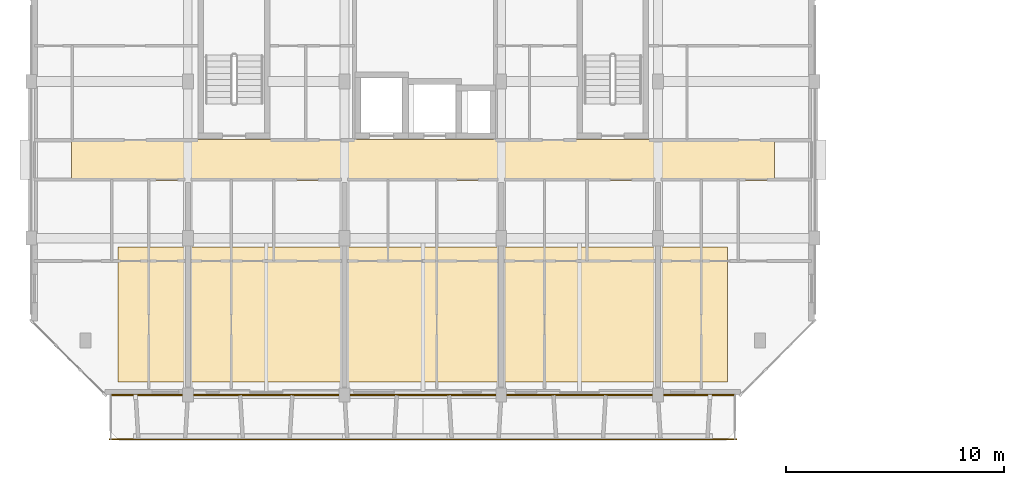
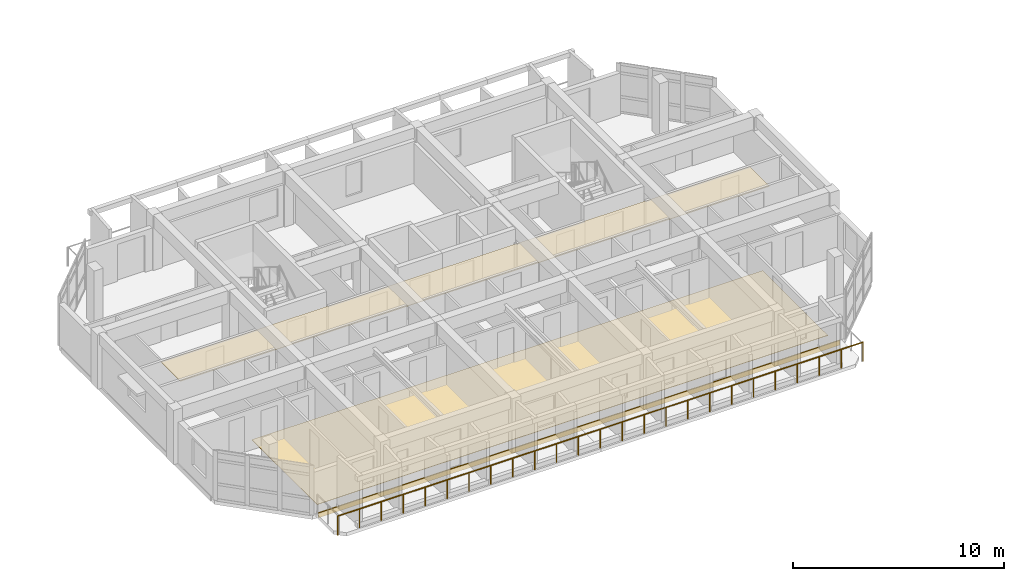
# One storey, part 34 of 43: 3 coverings, 1 railing.
"""IFC4 building model written with IfcOpenShell, lengths in metres."""

from ifc_helpers import new_model, si_unit, direction, frame, origin, origin_2d, place, context, subcontext, project, spatial, polyline, rectangle, circle, outline, extrude, material, layer, layer_set, type_object, element, save


model = new_model("IFC4")

# Units and contexts
model_context = context("Model", 3, precision=1e-05, world=origin(), true_north=direction((0.0, 1.0)))
body_context = subcontext(model_context, "Body", "Model", "MODEL_VIEW")
ifc_project = project(units=[si_unit("LENGTHUNIT", "METRE"), si_unit("AREAUNIT", "SQUARE_METRE"), si_unit("VOLUMEUNIT", "CUBIC_METRE"), si_unit("PLANEANGLEUNIT", "RADIAN"), si_unit("MASSUNIT", "GRAM", prefix="KILO")], contexts=[model_context])

# Site, building, storey
site_placement = place(None, origin())
site = spatial("IfcSite", under=ifc_project, at=site_placement, CompositionType="ELEMENT")
building_placement = place(site_placement, origin())
building = spatial("IfcBuilding", under=site, at=building_placement, Name="Ochrevale Crest", CompositionType="ELEMENT")
storey_placement = place(building_placement, frame((0.0, 0.0, 15.0)))
storey = spatial("IfcBuildingStorey", under=building, at=storey_placement, Name="L04", CompositionType="ELEMENT", Elevation=15.0)

# Coverings
ifc_material_1 = material(Name="Gypsum plasterboard", Category="gypsum")
ifc_layer_1 = layer(ifc_material_1, 0.02490234375)
ifc_layer_set_1 = layer_set([ifc_layer_1], Name="Gypsum plasterboard")
covering_type_1 = type_object("IfcCoveringType", Name="COV-CEIL-GYP", PredefinedType="CEILING", material=ifc_layer_set_1)
covering_1_placement = place(storey_placement, frame((0.0, 0.0, 2.280029296875)))
element("IfcCovering", 1, at=covering_1_placement, inside=storey, type_object=covering_type_1, Name="Block A L04 acoustic corridor ceiling", PredefinedType="CEILING", context=body_context, shape_type="SweptSolid", body=[
    extrude(outline(polyline([(1.85009765625, 24.260009765625), (34.14990234375, 24.260009765625), (34.14990234375, 26.139892578125), (1.85009765625, 26.139892578125), (1.85009765625, 24.260009765625)])), origin(), (0.0, 0.0, 1.0), 0.02490234375),
])
ifc_material_2 = material(Name="Glazed terracotta rainscreen tile", Category="masonry")
ifc_layer_2 = layer(ifc_material_2, 0.048095703125)
ifc_layer_set_2 = layer_set([ifc_layer_2], Name="Glazed terracotta rainscreen tile")
covering_type_2 = type_object("IfcCoveringType", Name="COV-CLAD-TER", PredefinedType="CLADDING", material=ifc_layer_set_2)
covering_2_placement = place(storey_placement, frame((18.0, 14.387451171875, -0.26025390625), z_axis=(0.0, 0.0, 1.0), x_axis=(1.0, 0.0, 0.0)))
element("IfcCovering", 2, at=covering_2_placement, inside=storey, type_object=covering_type_2, Name="Block A L04 terracotta slab-edge spandrel cladding", PredefinedType="CLADDING", context=body_context, shape_type="SweptSolid", body=[
    extrude(rectangle(XDim=28.60009765625, YDim=0.06005859375, at=origin_2d()), origin(), (0.0, 0.0, 1.0), 0.280029296875),
])
ifc_material_3 = material(Name="Engineered spotted-gum hardwood flooring", Category="wood")
ifc_layer_3 = layer(ifc_material_3, 0.02001953125)
ifc_layer_set_3 = layer_set([ifc_layer_3], Name="Engineered spotted-gum hardwood flooring")
covering_type_3 = type_object("IfcCoveringType", Name="COV-FLR-TIM", PredefinedType="FLOORING", material=ifc_layer_set_3)
covering_3_placement = place(storey_placement, origin())
element("IfcCovering", 3, at=covering_3_placement, inside=storey, type_object=covering_type_3, Name="Block A L04 spotted-gum apartment flooring", PredefinedType="FLOORING", context=body_context, shape_type="SweptSolid", body=[
    extrude(outline(polyline([(4.0, 15.0), (32.0, 15.0), (32.0, 21.199951171875), (4.0, 21.199951171875), (4.0, 15.0)])), origin(), (0.0, 0.0, 1.0), 0.02001953125),
])

# Railing
ifc_material_4 = material(Name="Galvanised steel", Category="steel")
railing_type = type_object("IfcRailingType", Name="RL-BAL-1100", PredefinedType="BALUSTRADE", material=ifc_material_4)
railing_placement = place(storey_placement, frame((3.60009765625, 12.360107421875, 0.0)))
element("IfcRailing", 4, at=railing_placement, inside=storey, type_object=railing_type, Name="Block A L04 S balcony front balustrade", PredefinedType="BALUSTRADE", context=body_context, shape_type="SweptSolid", body=[
    extrude(circle(Radius=0.02392578125, at=origin_2d()), frame((0.0, 0.0, 1.0859375), z_axis=(1.0, 0.0, 0.0), x_axis=(0.0, 1.0, 0.0)), (0.0, 0.0, 1.0), 28.7998046875),
    extrude(circle(Radius=0.02099609375, at=origin_2d()), origin(), (0.0, 0.0, 1.0), 1.06201171875),
    extrude(circle(Radius=0.02099609375, at=origin_2d()), frame((1.199951171875, 0.0, 0.0)), (0.0, 0.0, 1.0), 1.06201171875),
    extrude(circle(Radius=0.02099609375, at=origin_2d()), frame((2.39990234375, 0.0, 0.0)), (0.0, 0.0, 1.0), 1.06201171875),
    extrude(circle(Radius=0.02099609375, at=origin_2d()), frame((3.60009765625, 0.0, 0.0)), (0.0, 0.0, 1.0), 1.06201171875),
    extrude(circle(Radius=0.02099609375, at=origin_2d()), frame((4.800048828125, 0.0, 0.0)), (0.0, 0.0, 1.0), 1.06201171875),
    extrude(circle(Radius=0.02099609375, at=origin_2d()), frame((6.0, 0.0, 0.0)), (0.0, 0.0, 1.0), 1.06201171875),
    extrude(circle(Radius=0.02099609375, at=origin_2d()), frame((7.199951171875, 0.0, 0.0)), (0.0, 0.0, 1.0), 1.06201171875),
    extrude(circle(Radius=0.02099609375, at=origin_2d()), frame((8.39990234375, 0.0, 0.0)), (0.0, 0.0, 1.0), 1.06201171875),
    extrude(circle(Radius=0.02099609375, at=origin_2d()), frame((9.599853515625, 0.0, 0.0)), (0.0, 0.0, 1.0), 1.06201171875),
    extrude(circle(Radius=0.02099609375, at=origin_2d()), frame((10.7998046875, 0.0, 0.0)), (0.0, 0.0, 1.0), 1.06201171875),
    extrude(circle(Radius=0.02099609375, at=origin_2d()), frame((12.0, 0.0, 0.0)), (0.0, 0.0, 1.0), 1.06201171875),
    extrude(circle(Radius=0.02099609375, at=origin_2d()), frame((13.199951171875, 0.0, 0.0)), (0.0, 0.0, 1.0), 1.06201171875),
    extrude(circle(Radius=0.02099609375, at=origin_2d()), frame((14.39990234375, 0.0, 0.0)), (0.0, 0.0, 1.0), 1.06201171875),
    extrude(circle(Radius=0.02099609375, at=origin_2d()), frame((15.599853515625, 0.0, 0.0)), (0.0, 0.0, 1.0), 1.06201171875),
    extrude(circle(Radius=0.02099609375, at=origin_2d()), frame((16.7998046875, 0.0, 0.0)), (0.0, 0.0, 1.0), 1.06201171875),
    extrude(circle(Radius=0.02099609375, at=origin_2d()), frame((18.0, 0.0, 0.0)), (0.0, 0.0, 1.0), 1.06201171875),
    extrude(circle(Radius=0.02099609375, at=origin_2d()), frame((19.199951171875, 0.0, 0.0)), (0.0, 0.0, 1.0), 1.06201171875),
    extrude(circle(Radius=0.02099609375, at=origin_2d()), frame((20.39990234375, 0.0, 0.0)), (0.0, 0.0, 1.0), 1.06201171875),
    extrude(circle(Radius=0.02099609375, at=origin_2d()), frame((21.599853515625, 0.0, 0.0)), (0.0, 0.0, 1.0), 1.06201171875),
    extrude(circle(Radius=0.02099609375, at=origin_2d()), frame((22.7998046875, 0.0, 0.0)), (0.0, 0.0, 1.0), 1.06201171875),
    extrude(circle(Radius=0.02099609375, at=origin_2d()), frame((23.999755859375, 0.0, 0.0)), (0.0, 0.0, 1.0), 1.06201171875),
    extrude(circle(Radius=0.02099609375, at=origin_2d()), frame((25.19970703125, 0.0, 0.0)), (0.0, 0.0, 1.0), 1.06201171875),
    extrude(circle(Radius=0.02099609375, at=origin_2d()), frame((26.39990234375, 0.0, 0.0)), (0.0, 0.0, 1.0), 1.06201171875),
    extrude(circle(Radius=0.02099609375, at=origin_2d()), frame((27.599853515625, 0.0, 0.0)), (0.0, 0.0, 1.0), 1.06201171875),
    extrude(circle(Radius=0.02099609375, at=origin_2d()), frame((28.7998046875, 0.0, 0.0)), (0.0, 0.0, 1.0), 1.06201171875),
])

save(model, "model.ifc")
